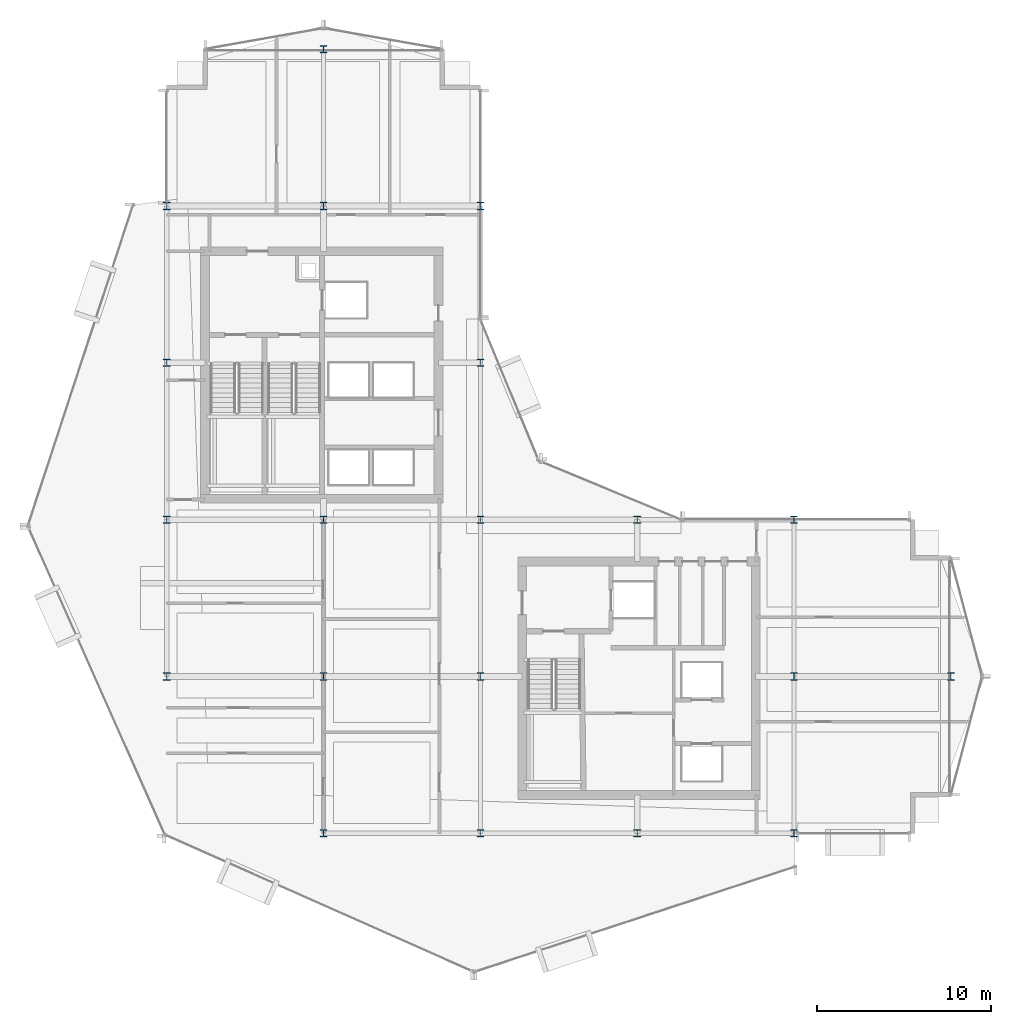
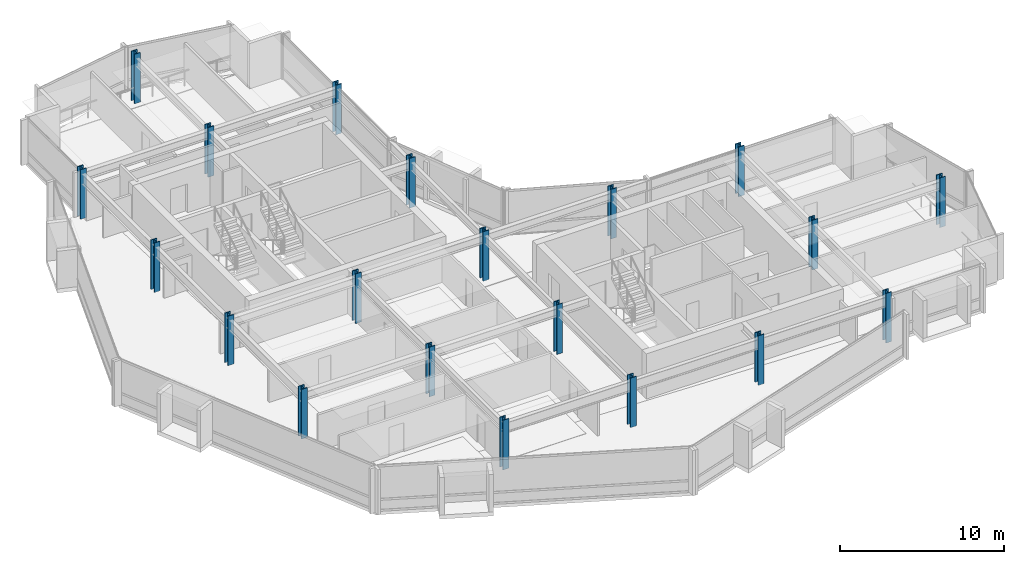
# One storey, part 1 of 29: 20 columns.
"""IFC4 building model written with IfcOpenShell, lengths in metres."""

from ifc_helpers import new_model, si_unit, direction, frame, origin, origin_2d, place, context, subcontext, project, spatial, i_section, extrude, material, material_profile, profile_set, type_object, element, save


model = new_model("IFC4")

# Units and contexts
model_context = context("Model", 3, precision=1e-05, world=origin(), true_north=direction((0.0, 1.0)))
body_context = subcontext(model_context, "Body", "Model", "MODEL_VIEW")
ifc_project = project(units=[si_unit("LENGTHUNIT", "METRE"), si_unit("AREAUNIT", "SQUARE_METRE"), si_unit("VOLUMEUNIT", "CUBIC_METRE"), si_unit("PLANEANGLEUNIT", "RADIAN"), si_unit("MASSUNIT", "GRAM", prefix="KILO")], contexts=[model_context])

# Site, building, storey
site_placement = place(None, origin())
site = spatial("IfcSite", under=ifc_project, at=site_placement, CompositionType="ELEMENT")
building_placement = place(site_placement, origin())
building = spatial("IfcBuilding", under=site, at=building_placement, Name="Solvaryn Broadcast Tower", CompositionType="ELEMENT")
storey_placement = place(building_placement, frame((0.0, 0.0, 165.5)))
storey = spatial("IfcBuildingStorey", under=building, at=storey_placement, Name="L41", CompositionType="ELEMENT", Elevation=165.5)

# Columns
ifc_material_1 = material(Name="Steel ASTM A913 Grade 65", Category="steel")
ifc_material_profile_1 = material_profile(ifc_material_1, i_section(OverallWidth=0.412109375, OverallDepth=0.43505859375, WebThickness=0.035888671875, FlangeThickness=0.057373046875, FilletRadius=0.014892578125, at=origin_2d()))
ifc_profile_set_1 = profile_set([ifc_material_profile_1], Name="Steel ASTM A913 Grade 65")
column_type_1 = type_object("IfcColumnType", Name="COL-C06E-W14X311", PredefinedType="COLUMN", material=ifc_profile_set_1)
for number, where, z_axis, x_axis, name in (
    (1, (9.0, 18.0, 0.0), (0.0, 0.0, 1.0), (1.0, 0.0, 0.0), "L41 Column (9.0, 18.0)"),
    (2, (9.0, 27.0, 0.0), (0.0, 0.0, 1.0), (1.0, 0.0, 0.0), "L41 Column (9.0, 27.0)"),
    (3, (9.0, 36.0, 0.0), (0.0, 0.0, 1.0), (1.0, 0.0, 0.0), "L41 Column (9.0, 36.0)"),
    (4, (9.0, 45.0, 0.0), (0.0, 0.0, 1.0), (1.0, 0.0, 0.0), "L41 Column (9.0, 45.0)"),
    (5, (18.0, 9.0, 0.0), (0.0, 0.0, 1.0), (1.0, 0.0, 0.0), "L41 Column (18.0, 9.0)"),
    (6, (18.0, 54.0, 0.0), (0.0, 0.0, 1.0), (1.0, 0.0, 0.0), "L41 Column (18.0, 54.0)"),
    (7, (27.0, 9.0, 0.0), (0.0, 0.0, 1.0), (1.0, 0.0, 0.0), "L41 Column (27.0, 9.0)"),
    (8, (27.0, 36.0, 0.0), (0.0, 0.0, 1.0), (1.0, 0.0, 0.0), "L41 Column (27.0, 36.0)"),
    (9, (27.0, 45.0, 0.0), (0.0, 0.0, 1.0), (1.0, 0.0, 0.0), "L41 Column (27.0, 45.0)"),
    (10, (36.0, 9.0, 0.0), (0.0, 0.0, 1.0), (1.0, 0.0, 0.0), "L41 Column (36.0, 9.0)"),
    (11, (36.0, 27.0, 0.0), (0.0, 0.0, 1.0), (1.0, 0.0, 0.0), "L41 Column (36.0, 27.0)"),
    (12, (45.0, 9.0, 0.0), (0.0, 0.0, 1.0), (1.0, 0.0, 0.0), "L41 Column (45.0, 9.0)"),
    (13, (45.0, 27.0, 0.0), (0.0, 0.0, 1.0), (1.0, 0.0, 0.0), "L41 Column (45.0, 27.0)"),
    (14, (54.0, 18.0, 0.0), (0.0, 0.0, 1.0), (1.0, 0.0, 0.0), "L41 Column (54.0, 18.0)"),
):
    element("IfcColumn", number, at=place(storey_placement, frame(where, z_axis=z_axis, x_axis=x_axis)), inside=storey, type_object=column_type_1, Name=name, PredefinedType="COLUMN", context=body_context, shape_type="SweptSolid", body=[
        extrude(i_section(OverallWidth=0.412109375, OverallDepth=0.43505859375, WebThickness=0.035888671875, FlangeThickness=0.057373046875, FilletRadius=0.014892578125, at=origin_2d()), origin(), (0.0, 0.0, 1.0), 3.699951171875),
    ])
ifc_material_2 = material(Name="Steel ASTM A913 Grade 65", Category="steel")
ifc_material_profile_2 = material_profile(ifc_material_2, i_section(OverallWidth=0.412109375, OverallDepth=0.43505859375, WebThickness=0.035888671875, FlangeThickness=0.057373046875, FilletRadius=0.014892578125, at=origin_2d()))
ifc_profile_set_2 = profile_set([ifc_material_profile_2], Name="Steel ASTM A913 Grade 65")
column_type_2 = type_object("IfcColumnType", Name="COL-C06I-W14X311", PredefinedType="COLUMN", material=ifc_profile_set_2)
for number, where, z_axis, x_axis, name in (
    (15, (18.0, 18.0, 0.0), (0.0, 0.0, 1.0), (1.0, 0.0, 0.0), "L41 Column (18.0, 18.0)"),
    (16, (18.0, 27.0, 0.0), (0.0, 0.0, 1.0), (1.0, 0.0, 0.0), "L41 Column (18.0, 27.0)"),
    (17, (18.0, 45.0, 0.0), (0.0, 0.0, 1.0), (1.0, 0.0, 0.0), "L41 Column (18.0, 45.0)"),
    (18, (27.0, 18.0, 0.0), (0.0, 0.0, 1.0), (1.0, 0.0, 0.0), "L41 Column (27.0, 18.0)"),
    (19, (27.0, 27.0, 0.0), (0.0, 0.0, 1.0), (1.0, 0.0, 0.0), "L41 Column (27.0, 27.0)"),
    (20, (45.0, 18.0, 0.0), (0.0, 0.0, 1.0), (1.0, 0.0, 0.0), "L41 Column (45.0, 18.0)"),
):
    element("IfcColumn", number, at=place(storey_placement, frame(where, z_axis=z_axis, x_axis=x_axis)), inside=storey, type_object=column_type_2, Name=name, PredefinedType="COLUMN", context=body_context, shape_type="SweptSolid", body=[
        extrude(i_section(OverallWidth=0.412109375, OverallDepth=0.43505859375, WebThickness=0.035888671875, FlangeThickness=0.057373046875, FilletRadius=0.014892578125, at=origin_2d()), origin(), (0.0, 0.0, 1.0), 3.699951171875),
    ])

save(model, "model.ifc")
